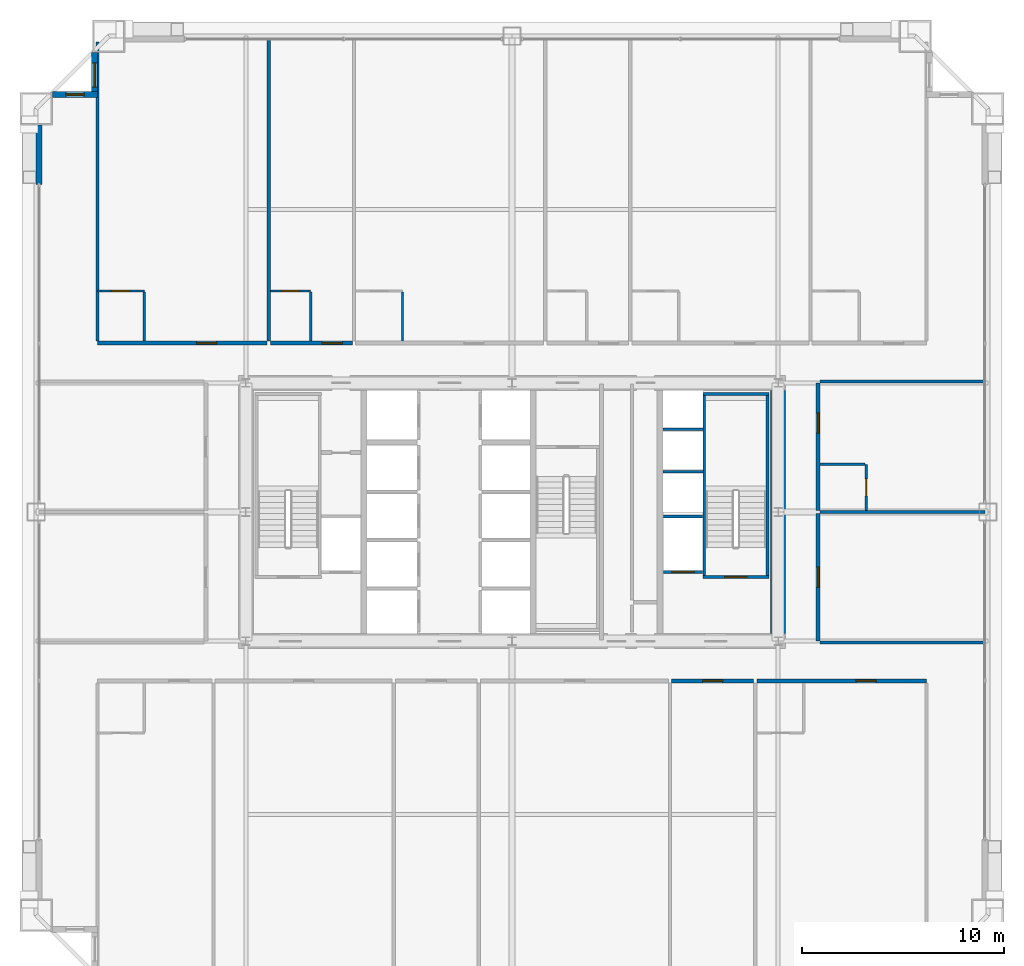
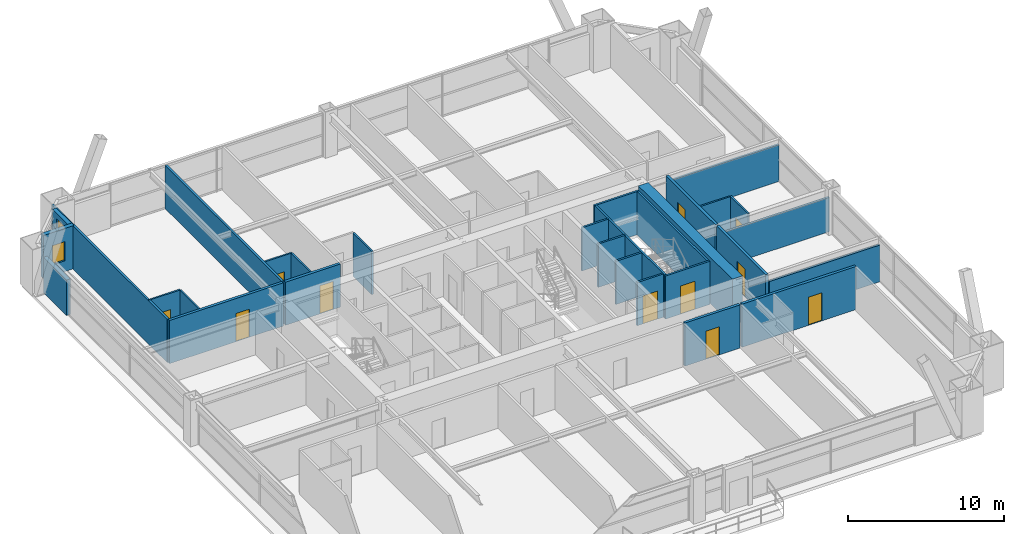
# One storey, part 39 of 41: 30 walls, 11 doors, 2 windows, 13 openings.
"""IFC4 building model written with IfcOpenShell, lengths in metres."""

from ifc_helpers import new_model, si_unit, direction, frame, frame_2d, origin, place, context, subcontext, project, spatial, rectangle, extrude, source, transform, mapped, material, layer, layer_set, type_object, element, fill, save


model = new_model("IFC4")

# Units and contexts
model_context = context("Model", 3, precision=1e-05, world=origin(), true_north=direction((0.0, 1.0)))
body_context = subcontext(model_context, "Body", "Model", "MODEL_VIEW")
ifc_project = project(units=[si_unit("LENGTHUNIT", "METRE"), si_unit("AREAUNIT", "SQUARE_METRE"), si_unit("VOLUMEUNIT", "CUBIC_METRE"), si_unit("PLANEANGLEUNIT", "RADIAN"), si_unit("MASSUNIT", "GRAM", prefix="KILO"), si_unit("THERMODYNAMICTEMPERATUREUNIT", "KELVIN"), si_unit("POWERUNIT", "WATT")], contexts=[model_context])

# Site, building, storey
site_placement = place(None, origin())
site = spatial("IfcSite", under=ifc_project, at=site_placement, CompositionType="ELEMENT")
building_placement = place(site_placement, origin())
building = spatial("IfcBuilding", under=site, at=building_placement, Name="Yuzanri Waterfront Tower", CompositionType="ELEMENT")
storey_placement = place(building_placement, frame((0.0, 0.0, 152.39990234375)))
storey = spatial("IfcBuildingStorey", under=building, at=storey_placement, Name="L40", CompositionType="ELEMENT", Elevation=152.39990234375)

# Wall, opening, door
ifc_material_1 = material(Name="Moisture-Resistant Gypsum Stud Wall", Category="gypsum")
ifc_layer_1 = layer(ifc_material_1, 0.1201171875)
ifc_layer_set_1 = layer_set([ifc_layer_1], Name="Moisture-Resistant Gypsum Stud Wall")
wall_type_1 = type_object("IfcWallType", Name="Bathroom and Kitchen Wet Partition 120", PredefinedType="PARTITIONING", material=ifc_layer_set_1)
wall_1_placement = place(storey_placement, frame((16.43994140625, 36.760009765625, 0.0), z_axis=(0.0, 0.0, 1.0), x_axis=(1.0, 0.0, 0.0)))
wall_1 = element("IfcWall", 1, at=wall_1_placement, inside=storey, type_object=wall_type_1, Name="L40 Partition UW-L40-N1-BN", PredefinedType="PARTITIONING", context=body_context, shape_type="SweptSolid", body=[
    extrude(rectangle(XDim=2.330078125, YDim=0.1201171875, at=frame_2d((1.1650390625, 0.0))), origin(), (0.0, 0.0, 1.0), 3.380126953125),
])
opening_1_placement = place(wall_1_placement, frame((0.739990234375, 0.0, 0.0)))
opening_1 = element("IfcOpeningElement", 2, at=opening_1_placement, cuts=wall_1, Name="Opening ID-0850", PredefinedType="OPENING", context=body_context, shape_type="SweptSolid", body=[
    extrude(rectangle(XDim=0.85009765625, YDim=2.10009765625, at=frame_2d((0.425048828125, 1.050048828125))), frame((0.0, 0.074951171875, 0.0), z_axis=(0.0, -1.0, 0.0), x_axis=(1.0, 0.0, 0.0)), (0.0, 0.0, 1.0), 0.14990234375),
])
ifc_material_2 = material(Name="Moisture-Resistant Lacquered Timber", Category="wood")
door_type_1 = type_object("IfcDoorType", Name="En-Suite Bathroom and Kitchen Swing Door 850x2100", OperationType="NOTDEFINED", PredefinedType="DOOR", material=ifc_material_2)
shared_shape_1 = source(origin(), body_context, "Body", "SweptSolid", [
    extrude(rectangle(XDim=0.85009765625, YDim=2.10009765625, at=frame_2d((0.425048828125, 1.050048828125))), frame((0.0, 0.02490234375, 0.0), z_axis=(0.0, -1.0, 0.0), x_axis=(1.0, 0.0, 0.0)), (0.0, 0.0, 1.0), 0.050048828125),
])
door_1_placement = place(opening_1_placement, origin())
door_1 = element("IfcDoor", 3, at=door_1_placement, inside=storey, type_object=door_type_1, Name="L40 Guest En-Suite Door", OperationType="SINGLE_SWING_LEFT", OverallHeight=2.10009765625, OverallWidth=0.85009765625, PredefinedType="DOOR", context=body_context, shape_type="MappedRepresentation", body=[
    mapped(shared_shape_1, transform((0.0, 0.0, 0.0), scale=1.0)),
])
fill(opening_1, door_1)

wall_2_placement = place(storey_placement, frame((25.01806640625, 36.760009765625, 0.0), z_axis=(0.0, 0.0, 1.0), x_axis=(1.0, 0.0, 0.0)))
wall_2 = element("IfcWall", 4, at=wall_2_placement, inside=storey, type_object=wall_type_1, Name="L40 Partition UW-L40-N2-BN", PredefinedType="PARTITIONING", context=body_context, shape_type="SweptSolid", body=[
    extrude(rectangle(XDim=1.991943359375, YDim=0.1201171875, at=frame_2d((0.99609375, 0.0))), origin(), (0.0, 0.0, 1.0), 3.380126953125),
])
opening_2_placement = place(wall_2_placement, frame((0.571044921875, 0.0, 0.0)))
opening_2 = element("IfcOpeningElement", 5, at=opening_2_placement, cuts=wall_2, Name="Opening ID-0850", PredefinedType="OPENING", context=body_context, shape_type="SweptSolid", body=[
    extrude(rectangle(XDim=0.85009765625, YDim=2.10009765625, at=frame_2d((0.425048828125, 1.050048828125))), frame((0.0, 0.074951171875, 0.0), z_axis=(0.0, -1.0, 0.0), x_axis=(1.0, 0.0, 0.0)), (0.0, 0.0, 1.0), 0.14990234375),
])
door_2_placement = place(opening_2_placement, origin())
door_2 = element("IfcDoor", 6, at=door_2_placement, inside=storey, type_object=door_type_1, Name="L40 Guest En-Suite Door", OperationType="SINGLE_SWING_LEFT", OverallHeight=2.10009765625, OverallWidth=0.85009765625, PredefinedType="DOOR", context=body_context, shape_type="MappedRepresentation", body=[
    mapped(shared_shape_1, transform((0.0, 0.0, 0.0), scale=1.0)),
])
fill(opening_2, door_2)

wall_3_placement = place(storey_placement, frame((54.56005859375, 25.8798828125, 0.0), z_axis=(0.0, 0.0, 1.0), x_axis=(0.0, 1.0, 0.0)))
wall_3 = element("IfcWall", 7, at=wall_3_placement, inside=storey, type_object=wall_type_1, Name="L40 Partition UW-L40-E2-BE2", PredefinedType="PARTITIONING", context=body_context, shape_type="SweptSolid", body=[
    extrude(rectangle(XDim=2.280029296875, YDim=0.1201171875, at=frame_2d((1.14013671875, 0.0))), origin(), (0.0, 0.0, 1.0), 3.380126953125),
])
opening_3_placement = place(wall_3_placement, frame((0.715087890625, 0.0, 0.0)))
opening_3 = element("IfcOpeningElement", 8, at=opening_3_placement, cuts=wall_3, Name="Opening ID-0850", PredefinedType="OPENING", context=body_context, shape_type="SweptSolid", body=[
    extrude(rectangle(XDim=0.85009765625, YDim=2.10009765625, at=frame_2d((0.425048828125, 1.050048828125))), frame((0.0, 0.074951171875, 0.0), z_axis=(0.0, -1.0, 0.0), x_axis=(1.0, 0.0, 0.0)), (0.0, 0.0, 1.0), 0.14990234375),
])
door_3_placement = place(opening_3_placement, origin())
door_3 = element("IfcDoor", 9, at=door_3_placement, inside=storey, type_object=door_type_1, Name="L40 Guest En-Suite Door", OperationType="SINGLE_SWING_RIGHT", OverallHeight=2.10009765625, OverallWidth=0.85009765625, PredefinedType="DOOR", context=body_context, shape_type="MappedRepresentation", body=[
    mapped(shared_shape_1, transform((0.0, 0.0, 0.0), scale=1.0)),
])
fill(opening_3, door_3)

# Wall, opening, window
ifc_material_3 = material(Name="Honed Chongqing Dark Basalt Stone", Category="masonry")
ifc_layer_2 = layer(ifc_material_3, 0.300048828125)
ifc_layer_set_2 = layer_set([ifc_layer_2], Name="Honed Chongqing Dark Basalt Stone")
wall_type_2 = type_object("IfcWallType", Name="Bronze Rainscreen Insulated Spandrel Portal Wall 300", PredefinedType="SOLIDWALL", material=ifc_layer_set_2)
wall_4_placement = place(storey_placement, frame((16.449951171875, 46.5, 0.0), z_axis=(0.0, 0.0, 1.0), x_axis=(-1.0, 0.0, 0.0)))
wall_4 = element("IfcWall", 10, at=wall_4_placement, inside=storey, type_object=wall_type_2, Name="L40 Notched Corner Masonry Wall NW-X", PredefinedType="SOLIDWALL", context=body_context, shape_type="SweptSolid", body=[
    extrude(rectangle(XDim=2.25, YDim=0.300048828125, at=frame_2d((1.125, 0.0))), origin(), (0.0, 0.0, 1.0), 3.380126953125),
])
opening_4_placement = place(wall_4_placement, frame((0.675048828125, 0.0, 0.85009765625)))
opening_4 = element("IfcOpeningElement", 11, at=opening_4_placement, cuts=wall_4, Name="Opening WN-05", PredefinedType="OPENING", context=body_context, shape_type="SweptSolid", body=[
    extrude(rectangle(XDim=0.89990234375, YDim=1.5, at=frame_2d((0.449951171875, 0.75))), frame((0.0, 0.1650390625, 0.0), z_axis=(0.0, -1.0, 0.0), x_axis=(1.0, 0.0, 0.0)), (0.0, 0.0, 1.0), 0.329833984375),
])
ifc_material_4 = material(Name="Double-Silver Low-E Insulated Glass", Category="glass")
window_type_1 = type_object("IfcWindowType", Name="Anodized Bronze Service and Stairwell Smoke-Vent Window 900x1500", PartitioningType="SINGLE_PANEL", PredefinedType="WINDOW", material=ifc_material_4)
shared_shape_2 = source(origin(), body_context, "Body", "SweptSolid", [
    extrude(rectangle(XDim=0.89990234375, YDim=1.5, at=frame_2d((0.449951171875, 0.75))), frame((0.0, 0.030029296875, 0.0), z_axis=(0.0, -1.0, 0.0), x_axis=(1.0, 0.0, 0.0)), (0.0, 0.0, 1.0), 0.06005859375),
])
window_1_placement = place(opening_4_placement, origin())
window_1 = element("IfcWindow", 12, at=window_1_placement, inside=storey, type_object=window_type_1, Name="L40 Notched Corner Window NW-X", OverallHeight=1.5, OverallWidth=0.89990234375, PartitioningType="SINGLE_PANEL", PredefinedType="WINDOW", context=body_context, shape_type="MappedRepresentation", body=[
    mapped(shared_shape_2, transform((0.0, 0.0, 0.0), scale=1.0)),
])
fill(opening_4, window_1)

wall_5_placement = place(storey_placement, frame((16.300048828125, 48.60009765625, 0.0), z_axis=(0.0, 0.0, 1.0), x_axis=(0.0, -1.0, 0.0)))
wall_5 = element("IfcWall", 13, at=wall_5_placement, inside=storey, type_object=wall_type_2, Name="L40 Notched Corner Masonry Wall NW-Y", PredefinedType="SOLIDWALL", context=body_context, shape_type="SweptSolid", body=[
    extrude(rectangle(XDim=2.25, YDim=0.300048828125, at=frame_2d((1.125, 0.0))), origin(), (0.0, 0.0, 1.0), 3.380126953125),
])
opening_5_placement = place(wall_5_placement, frame((0.52490234375, 0.0, 0.85009765625)))
opening_5 = element("IfcOpeningElement", 14, at=opening_5_placement, cuts=wall_5, Name="Opening WN-02", PredefinedType="OPENING", context=body_context, shape_type="SweptSolid", body=[
    extrude(rectangle(XDim=1.199951171875, YDim=2.10009765625, at=frame_2d((0.60009765625, 1.050048828125))), frame((0.0, 0.1650390625, 0.0), z_axis=(0.0, -1.0, 0.0), x_axis=(1.0, 0.0, 0.0)), (0.0, 0.0, 1.0), 0.329833984375),
])
ifc_material_5 = material(Name="Double-Silver Low-E Insulated Glass", Category="glass")
window_type_2 = type_object("IfcWindowType", Name="Anodized Bronze Notched Corner Deep-Set Slot Window 1200x2100", PartitioningType="SINGLE_PANEL", PredefinedType="WINDOW", material=ifc_material_5)
shared_shape_3 = source(origin(), body_context, "Body", "SweptSolid", [
    extrude(rectangle(XDim=1.199951171875, YDim=2.10009765625, at=frame_2d((0.60009765625, 1.050048828125))), frame((0.0, 0.030029296875, 0.0), z_axis=(0.0, -1.0, 0.0), x_axis=(1.0, 0.0, 0.0)), (0.0, 0.0, 1.0), 0.06005859375),
])
window_2_placement = place(opening_5_placement, origin())
window_2 = element("IfcWindow", 15, at=window_2_placement, inside=storey, type_object=window_type_2, Name="L40 Notched Corner Window NW-Y", OverallHeight=2.10009765625, OverallWidth=1.199951171875, PartitioningType="SINGLE_PANEL", PredefinedType="WINDOW", context=body_context, shape_type="MappedRepresentation", body=[
    mapped(shared_shape_3, transform((0.0, 0.0, 0.0), scale=1.0)),
])
fill(opening_5, window_2)

# Wall, opening, door
ifc_material_6 = material(Name="Concrete C40", Category="concrete")
ifc_layer_3 = layer(ifc_material_6, 0.139892578125)
ifc_layer_set_3 = layer_set([ifc_layer_3], Name="Concrete C40")
wall_type_3 = type_object("IfcWallType", Name="Core Stair Liner and Hoistway Shaft Wall 140", PredefinedType="SOLIDWALL", material=ifc_layer_set_3)
wall_6_placement = place(storey_placement, frame((44.52001953125, 22.830078125, 0.0), z_axis=(0.0, 0.0, 1.0), x_axis=(1.0, 0.0, 0.0)))
wall_6 = element("IfcWall", 16, at=wall_6_placement, inside=storey, type_object=wall_type_3, Name="L40 Lift FL-02 Front Shaft Wall", PredefinedType="SOLIDWALL", context=body_context, shape_type="SweptSolid", body=[
    extrude(rectangle(XDim=1.919921875, YDim=0.139892578125, at=frame_2d((0.9599609375, 0.0))), origin(), (0.0, 0.0, 1.0), 3.380126953125),
])
opening_6_placement = place(wall_6_placement, frame((0.409912109375, 0.0, 0.0)))
opening_6 = element("IfcOpeningElement", 17, at=opening_6_placement, cuts=wall_6, Name="Opening LD-FL-02", PredefinedType="OPENING", context=body_context, shape_type="SweptSolid", body=[
    extrude(rectangle(XDim=1.10009765625, YDim=2.199951171875, at=frame_2d((0.550048828125, 1.10009765625))), frame((0.0, 0.0849609375, 0.0), z_axis=(0.0, -1.0, 0.0), x_axis=(1.0, 0.0, 0.0)), (0.0, 0.0, 1.0), 0.169677734375),
])
ifc_material_7 = material(Name="Brushed Bronze and Stainless Steel Cab", Category="steel")
door_type_2 = type_object("IfcDoorType", Name="Center-Parting Bronze Lift Landing Sliding Door 1100x2200", OperationType="NOTDEFINED", PredefinedType="DOOR", material=ifc_material_7)
shared_shape_4 = source(origin(), body_context, "Body", "SweptSolid", [
    extrude(rectangle(XDim=1.10009765625, YDim=2.199951171875, at=frame_2d((0.550048828125, 1.10009765625))), frame((0.0, 0.02490234375, 0.0), z_axis=(0.0, -1.0, 0.0), x_axis=(1.0, 0.0, 0.0)), (0.0, 0.0, 1.0), 0.050048828125),
])
door_4_placement = place(opening_6_placement, origin())
door_4 = element("IfcDoor", 18, at=door_4_placement, inside=storey, type_object=door_type_2, Name="L40 FL-02 Lift Landing Sliding Door", OperationType="SLIDING_TO_RIGHT", OverallHeight=2.199951171875, OverallWidth=1.10009765625, PredefinedType="DOOR", context=body_context, shape_type="MappedRepresentation", body=[
    mapped(shared_shape_4, transform((0.0, 0.0, 0.0), scale=1.0)),
])
fill(opening_6, door_4)

wall_7_placement = place(storey_placement, frame((46.4599609375, 22.570068359375, 0.0), z_axis=(0.0, 0.0, 1.0), x_axis=(1.0, 0.0, 0.0)))
wall_7 = element("IfcWall", 19, at=wall_7_placement, inside=storey, type_object=wall_type_3, Name="L40 Shaft Wall STW-L40-ST-02-S", PredefinedType="SOLIDWALL", context=body_context, shape_type="SweptSolid", body=[
    extrude(rectangle(XDim=3.280029296875, YDim=0.139892578125, at=frame_2d((1.64013671875, 0.0))), origin(), (0.0, 0.0, 1.0), 3.380126953125),
])
opening_7_placement = place(wall_7_placement, frame((1.090087890625, 0.0, 0.0)))
opening_7 = element("IfcOpeningElement", 20, at=opening_7_placement, cuts=wall_7, Name="Opening FD-1100", PredefinedType="OPENING", context=body_context, shape_type="SweptSolid", body=[
    extrude(rectangle(XDim=1.10009765625, YDim=2.199951171875, at=frame_2d((0.550048828125, 1.10009765625))), frame((0.0, 0.0849609375, 0.0), z_axis=(0.0, -1.0, 0.0), x_axis=(1.0, 0.0, 0.0)), (0.0, 0.0, 1.0), 0.169677734375),
])
ifc_material_8 = material(Name="Painted Galvanized Fire Steel", Category="steel")
door_type_3 = type_object("IfcDoorType", Name="Smoke-Proof Stair and Lobby Fire Door 1100x2200", OperationType="NOTDEFINED", PredefinedType="DOOR", material=ifc_material_8)
shared_shape_5 = source(origin(), body_context, "Body", "SweptSolid", [
    extrude(rectangle(XDim=1.10009765625, YDim=2.199951171875, at=frame_2d((0.550048828125, 1.10009765625))), frame((0.0, 0.02490234375, 0.0), z_axis=(0.0, -1.0, 0.0), x_axis=(1.0, 0.0, 0.0)), (0.0, 0.0, 1.0), 0.050048828125),
])
door_5_placement = place(opening_7_placement, origin())
door_5 = element("IfcDoor", 21, at=door_5_placement, inside=storey, type_object=door_type_3, Name="L40 Stair ST-02 Fire Door", OperationType="SINGLE_SWING_RIGHT", OverallHeight=2.199951171875, OverallWidth=1.10009765625, PredefinedType="DOOR", context=body_context, shape_type="MappedRepresentation", body=[
    mapped(shared_shape_5, transform((0.0, 0.0, 0.0), scale=1.0)),
])
fill(opening_7, door_5)

ifc_material_9 = material(Name="Autoclaved Aerated Concrete Blockwork", Category="masonry")
ifc_layer_4 = layer(ifc_material_9, 0.199951171875)
ifc_layer_set_4 = layer_set([ifc_layer_4], Name="Autoclaved Aerated Concrete Blockwork")
wall_type_4 = type_object("IfcWallType", Name="Corridor and Unit Party Fire Wall 200", PredefinedType="PARTITIONING", material=ifc_layer_set_4)
wall_8_placement = place(storey_placement, frame((44.919921875, 17.419921875, 0.0), z_axis=(0.0, 0.0, 1.0), x_axis=(1.0, 0.0, 0.0)))
wall_8 = element("IfcWall", 22, at=wall_8_placement, inside=storey, type_object=wall_type_4, Name="L40 Partition UW-L40-S5-CN", PredefinedType="PARTITIONING", context=body_context, shape_type="SweptSolid", body=[
    extrude(rectangle(XDim=4.06201171875, YDim=0.199951171875, at=frame_2d((2.031005859375, 0.0))), origin(), (0.0, 0.0, 1.0), 3.380126953125),
])
opening_8_placement = place(wall_8_placement, frame((1.531005859375, 0.0, 0.0)))
opening_8 = element("IfcOpeningElement", 23, at=opening_8_placement, cuts=wall_8, Name="Opening FD-1000", PredefinedType="OPENING", context=body_context, shape_type="SweptSolid", body=[
    extrude(rectangle(XDim=1.0, YDim=2.199951171875, at=frame_2d((0.5, 1.10009765625))), frame((0.0, 0.11474609375, 0.0), z_axis=(0.0, -1.0, 0.0), x_axis=(1.0, 0.0, 0.0)), (0.0, 0.0, 1.0), 0.229736328125),
])
ifc_material_10 = material(Name="Engineered Oak Fire-Rated Timber", Category="wood")
door_type_4 = type_object("IfcDoorType", Name="Guestroom and Apartment Entrance Fire Door 1000x2200", OperationType="NOTDEFINED", PredefinedType="DOOR", material=ifc_material_10)
shared_shape_6 = source(origin(), body_context, "Body", "SweptSolid", [
    extrude(rectangle(XDim=1.0, YDim=2.199951171875, at=frame_2d((0.5, 1.10009765625))), frame((0.0, 0.02490234375, 0.0), z_axis=(0.0, -1.0, 0.0), x_axis=(1.0, 0.0, 0.0)), (0.0, 0.0, 1.0), 0.050048828125),
])
door_6_placement = place(opening_8_placement, origin())
door_6 = element("IfcDoor", 24, at=door_6_placement, inside=storey, type_object=door_type_4, Name="L40 Private Office 4 Entrance Door", OperationType="SINGLE_SWING_LEFT", OverallHeight=2.199951171875, OverallWidth=1.0, PredefinedType="DOOR", context=body_context, shape_type="MappedRepresentation", body=[
    mapped(shared_shape_6, transform((0.0, 0.0, 0.0), scale=1.0)),
])
fill(opening_8, door_6)

wall_9_placement = place(storey_placement, frame((49.14208984375, 17.419921875, 0.0), z_axis=(0.0, 0.0, 1.0), x_axis=(1.0, 0.0, 0.0)))
wall_9 = element("IfcWall", 25, at=wall_9_placement, inside=storey, type_object=wall_type_4, Name="L40 Partition UW-L40-S6-CN", PredefinedType="PARTITIONING", context=body_context, shape_type="SweptSolid", body=[
    extrude(rectangle(XDim=8.41796875, YDim=0.199951171875, at=frame_2d((4.208984375, 0.0))), origin(), (0.0, 0.0, 1.0), 3.380126953125),
])
opening_9_placement = place(wall_9_placement, frame((4.9140625, 0.0, 0.0)))
opening_9 = element("IfcOpeningElement", 26, at=opening_9_placement, cuts=wall_9, Name="Opening FD-1000", PredefinedType="OPENING", context=body_context, shape_type="SweptSolid", body=[
    extrude(rectangle(XDim=1.0, YDim=2.199951171875, at=frame_2d((0.5, 1.10009765625))), frame((0.0, 0.11474609375, 0.0), z_axis=(0.0, -1.0, 0.0), x_axis=(1.0, 0.0, 0.0)), (0.0, 0.0, 1.0), 0.229736328125),
])
door_7_placement = place(opening_9_placement, origin())
door_7 = element("IfcDoor", 27, at=door_7_placement, inside=storey, type_object=door_type_4, Name="L40 Ambassador Suite Entrance Door", OperationType="SINGLE_SWING_RIGHT", OverallHeight=2.199951171875, OverallWidth=1.0, PredefinedType="DOOR", context=body_context, shape_type="MappedRepresentation", body=[
    mapped(shared_shape_6, transform((0.0, 0.0, 0.0), scale=1.0)),
])
fill(opening_9, door_7)

wall_10_placement = place(storey_placement, frame((16.43994140625, 34.179931640625, 0.0), z_axis=(0.0, 0.0, 1.0), x_axis=(1.0, 0.0, 0.0)))
wall_10 = element("IfcWall", 28, at=wall_10_placement, inside=storey, type_object=wall_type_4, Name="L40 Partition UW-L40-N1-CS", PredefinedType="PARTITIONING", context=body_context, shape_type="SweptSolid", body=[
    extrude(rectangle(XDim=8.41796875, YDim=0.199951171875, at=frame_2d((4.208984375, 0.0))), origin(), (0.0, 0.0, 1.0), 3.380126953125),
])
opening_10_placement = place(wall_10_placement, frame((4.9140625, 0.0, 0.0)))
opening_10 = element("IfcOpeningElement", 29, at=opening_10_placement, cuts=wall_10, Name="Opening FD-1000", PredefinedType="OPENING", context=body_context, shape_type="SweptSolid", body=[
    extrude(rectangle(XDim=1.0, YDim=2.199951171875, at=frame_2d((0.5, 1.10009765625))), frame((0.0, 0.11474609375, 0.0), z_axis=(0.0, -1.0, 0.0), x_axis=(1.0, 0.0, 0.0)), (0.0, 0.0, 1.0), 0.229736328125),
])
door_8_placement = place(opening_10_placement, origin())
door_8 = element("IfcDoor", 30, at=door_8_placement, inside=storey, type_object=door_type_4, Name="L40 Deluxe Twin Junior Suite Entrance Door", OperationType="SINGLE_SWING_RIGHT", OverallHeight=2.199951171875, OverallWidth=1.0, PredefinedType="DOOR", context=body_context, shape_type="MappedRepresentation", body=[
    mapped(shared_shape_6, transform((0.0, 0.0, 0.0), scale=1.0)),
])
fill(opening_10, door_8)

wall_11_placement = place(storey_placement, frame((25.01806640625, 34.179931640625, 0.0), z_axis=(0.0, 0.0, 1.0), x_axis=(1.0, 0.0, 0.0)))
wall_11 = element("IfcWall", 31, at=wall_11_placement, inside=storey, type_object=wall_type_4, Name="L40 Partition UW-L40-N2-CS", PredefinedType="PARTITIONING", context=body_context, shape_type="SweptSolid", body=[
    extrude(rectangle(XDim=4.06201171875, YDim=0.199951171875, at=frame_2d((2.031005859375, 0.0))), origin(), (0.0, 0.0, 1.0), 3.380126953125),
])
opening_11_placement = place(wall_11_placement, frame((2.56689453125, 0.0, 0.0)))
opening_11 = element("IfcOpeningElement", 32, at=opening_11_placement, cuts=wall_11, Name="Opening FD-1000", PredefinedType="OPENING", context=body_context, shape_type="SweptSolid", body=[
    extrude(rectangle(XDim=1.0, YDim=2.199951171875, at=frame_2d((0.5, 1.10009765625))), frame((0.0, 0.11474609375, 0.0), z_axis=(0.0, -1.0, 0.0), x_axis=(1.0, 0.0, 0.0)), (0.0, 0.0, 1.0), 0.229736328125),
])
door_9_placement = place(opening_11_placement, origin())
door_9 = element("IfcDoor", 33, at=door_9_placement, inside=storey, type_object=door_type_4, Name="L40 Deluxe Twin Guest Room Entrance Door", OperationType="SINGLE_SWING_RIGHT", OverallHeight=2.199951171875, OverallWidth=1.0, PredefinedType="DOOR", context=body_context, shape_type="MappedRepresentation", body=[
    mapped(shared_shape_6, transform((0.0, 0.0, 0.0), scale=1.0)),
])
fill(opening_11, door_9)

wall_12_placement = place(storey_placement, frame((52.179931640625, 19.409912109375, 0.0), z_axis=(0.0, 0.0, 1.0), x_axis=(0.0, 1.0, 0.0)))
wall_12 = element("IfcWall", 34, at=wall_12_placement, inside=storey, type_object=wall_type_4, Name="L40 Partition UW-L40-E1-CW", PredefinedType="PARTITIONING", context=body_context, shape_type="SweptSolid", body=[
    extrude(rectangle(XDim=6.31005859375, YDim=0.199951171875, at=frame_2d((3.155029296875, 0.0))), origin(), (0.0, 0.0, 1.0), 3.380126953125),
])
opening_12_placement = place(wall_12_placement, frame((2.655029296875, 0.0, 0.0)))
opening_12 = element("IfcOpeningElement", 35, at=opening_12_placement, cuts=wall_12, Name="Opening FD-1000", PredefinedType="OPENING", context=body_context, shape_type="SweptSolid", body=[
    extrude(rectangle(XDim=1.0, YDim=2.199951171875, at=frame_2d((0.5, 1.10009765625))), frame((0.0, 0.11474609375, 0.0), z_axis=(0.0, -1.0, 0.0), x_axis=(1.0, 0.0, 0.0)), (0.0, 0.0, 1.0), 0.229736328125),
])
door_10_placement = place(opening_12_placement, origin())
door_10 = element("IfcDoor", 36, at=door_10_placement, inside=storey, type_object=door_type_4, Name="L40 East Tea Restaurant Entrance Door", OperationType="SINGLE_SWING_RIGHT", OverallHeight=2.199951171875, OverallWidth=1.0, PredefinedType="DOOR", context=body_context, shape_type="MappedRepresentation", body=[
    mapped(shared_shape_6, transform((0.0, 0.0, 0.0), scale=1.0)),
])
fill(opening_12, door_10)

wall_13_placement = place(storey_placement, frame((52.179931640625, 25.8798828125, 0.0), z_axis=(0.0, 0.0, 1.0), x_axis=(0.0, 1.0, 0.0)))
wall_13 = element("IfcWall", 37, at=wall_13_placement, inside=storey, type_object=wall_type_4, Name="L40 Partition UW-L40-E2-CW", PredefinedType="PARTITIONING", context=body_context, shape_type="SweptSolid", body=[
    extrude(rectangle(XDim=6.31005859375, YDim=0.199951171875, at=frame_2d((3.155029296875, 0.0))), origin(), (0.0, 0.0, 1.0), 3.380126953125),
])
opening_13_placement = place(wall_13_placement, frame((3.8349609375, 0.0, 0.0)))
opening_13 = element("IfcOpeningElement", 38, at=opening_13_placement, cuts=wall_13, Name="Opening FD-1000", PredefinedType="OPENING", context=body_context, shape_type="SweptSolid", body=[
    extrude(rectangle(XDim=1.0, YDim=2.199951171875, at=frame_2d((0.5, 1.10009765625))), frame((0.0, 0.11474609375, 0.0), z_axis=(0.0, -1.0, 0.0), x_axis=(1.0, 0.0, 0.0)), (0.0, 0.0, 1.0), 0.229736328125),
])
door_11_placement = place(opening_13_placement, origin())
door_11 = element("IfcDoor", 39, at=door_11_placement, inside=storey, type_object=door_type_4, Name="L40 East Guest Room Entrance Door", OperationType="SINGLE_SWING_LEFT", OverallHeight=2.199951171875, OverallWidth=1.0, PredefinedType="DOOR", context=body_context, shape_type="MappedRepresentation", body=[
    mapped(shared_shape_6, transform((0.0, 0.0, 0.0), scale=1.0)),
])
fill(opening_13, door_11)

# Walls
ifc_material_11 = material(Name="Concrete C55", Category="concrete")
ifc_layer_5 = layer(ifc_material_11, 0.75)
ifc_layer_set_5 = layer_set([ifc_layer_5], Name="Concrete C55")
wall_type_5 = type_object("IfcWallType", Name="Concrete C55 Low-Mid Zone Core Shear Wall 750", PredefinedType="SHEAR", material=ifc_layer_set_5)
shared_shape_7 = source(origin(), body_context, "Body", "SweptSolid", [
    extrude(rectangle(XDim=12.050048828125, YDim=0.75, at=frame_2d((6.02490234375, 0.0))), origin(), (0.0, 0.0, 1.0), 3.60009765625),
])
wall_14_placement = place(storey_placement, frame((50.199951171875, 19.77490234375, 0.0), z_axis=(0.0, 0.0, 1.0), x_axis=(0.0, 1.0, 0.0)))
element("IfcWall", 40, at=wall_14_placement, inside=storey, type_object=wall_type_5, Name="L40 Core East Shear Wall", PredefinedType="SHEAR", context=body_context, shape_type="MappedRepresentation", body=[
    mapped(shared_shape_7, transform((0.0, 0.0, 0.0), scale=1.0)),
])
shared_shape_8 = source(origin(), body_context, "Body", "SweptSolid", [
    extrude(rectangle(XDim=2.949951171875, YDim=0.300048828125, at=frame_2d((1.47509765625, 0.0))), origin(), (0.0, 0.0, 1.0), 2.775146484375),
])
wall_15_placement = place(storey_placement, frame((13.550048828125, 42.050048828125, 0.0), z_axis=(0.0, 0.0, 1.0), x_axis=(0.0, 1.0, 0.0)))
element("IfcWall", 41, at=wall_15_placement, inside=storey, type_object=wall_type_2, Name="L40 W Right Braced Masonry Shoulder", PredefinedType="SOLIDWALL", context=body_context, shape_type="MappedRepresentation", body=[
    mapped(shared_shape_8, transform((0.0, 0.0, 0.0), scale=1.0)),
])
shared_shape_9 = source(origin(), body_context, "Body", "SweptSolid", [
    extrude(rectangle(XDim=1.919921875, YDim=0.139892578125, at=frame_2d((0.9599609375, 0.0))), origin(), (0.0, 0.0, 1.0), 3.380126953125),
])
wall_16_placement = place(storey_placement, frame((44.52001953125, 25.570068359375, 0.0), z_axis=(0.0, 0.0, 1.0), x_axis=(1.0, 0.0, 0.0)))
element("IfcWall", 42, at=wall_16_placement, inside=storey, type_object=wall_type_3, Name="L40 Lift FL-02 Back Shaft Wall", PredefinedType="SOLIDWALL", context=body_context, shape_type="MappedRepresentation", body=[
    mapped(shared_shape_9, transform((0.0, 0.0, 0.0), scale=1.0)),
])
shared_shape_10 = source(origin(), body_context, "Body", "SweptSolid", [
    extrude(rectangle(XDim=2.0, YDim=0.139892578125, at=frame_2d((1.0, 0.0))), origin(), (0.0, 0.0, 1.0), 3.380126953125),
])
for number, where, z_axis, x_axis, name in (
    (43, (44.5, 27.800048828125, 0.0), (0.0, 0.0, 1.0), (1.0, 0.0, 0.0), "L40 Lift PL-09 Divider Wall"),
    (44, (44.5, 29.89990234375, 0.0), (0.0, 0.0, 1.0), (1.0, 0.0, 0.0), "L40 Lift PL-10 Divider Wall"),
):
    element("IfcWall", number, at=place(storey_placement, frame(where, z_axis=z_axis, x_axis=x_axis)), inside=storey, type_object=wall_type_3, Name=name, PredefinedType="SOLIDWALL", context=body_context, shape_type="MappedRepresentation", body=[
        mapped(shared_shape_10, transform((0.0, 0.0, 0.0), scale=1.0)),
    ])
shared_shape_11 = source(origin(), body_context, "Body", "SweptSolid", [
    extrude(rectangle(XDim=3.280029296875, YDim=0.139892578125, at=frame_2d((1.64013671875, 0.0))), origin(), (0.0, 0.0, 1.0), 3.380126953125),
])
wall_17_placement = place(storey_placement, frame((46.4599609375, 31.64990234375, 0.0), z_axis=(0.0, 0.0, 1.0), x_axis=(1.0, 0.0, 0.0)))
element("IfcWall", 45, at=wall_17_placement, inside=storey, type_object=wall_type_3, Name="L40 Stair ST-02 North Shaft Wall", PredefinedType="SOLIDWALL", context=body_context, shape_type="MappedRepresentation", body=[
    mapped(shared_shape_11, transform((0.0, 0.0, 0.0), scale=1.0)),
])
shared_shape_12 = source(origin(), body_context, "Body", "SweptSolid", [
    extrude(rectangle(XDim=8.940185546875, YDim=0.139892578125, at=frame_2d((4.47021484375, 0.0))), origin(), (0.0, 0.0, 1.0), 3.380126953125),
])
for number, where, z_axis, x_axis, name in (
    (46, (46.530029296875, 22.639892578125, 0.0), (0.0, 0.0, 1.0), (0.0, 1.0, 0.0), "L40 Stair ST-02 West Shaft Wall"),
    (47, (49.669921875, 22.639892578125, 0.0), (0.0, 0.0, 1.0), (0.0, 1.0, 0.0), "L40 Stair ST-02 East Shaft Wall"),
):
    element("IfcWall", number, at=place(storey_placement, frame(where, z_axis=z_axis, x_axis=x_axis)), inside=storey, type_object=wall_type_3, Name=name, PredefinedType="SOLIDWALL", context=body_context, shape_type="MappedRepresentation", body=[
        mapped(shared_shape_12, transform((0.0, 0.0, 0.0), scale=1.0)),
    ])
shared_shape_13 = source(origin(), body_context, "Body", "SweptSolid", [
    extrude(rectangle(XDim=2.419921875, YDim=0.1201171875, at=frame_2d((1.2099609375, 0.0))), origin(), (0.0, 0.0, 1.0), 3.380126953125),
])
for number, where, z_axis, x_axis, name in (
    (48, (18.77001953125, 34.280029296875, 0.0), (0.0, 0.0, 1.0), (0.0, 1.0, 0.0), "L40-N1 En-Suite Side Wall"),
    (49, (27.010009765625, 34.280029296875, 0.0), (0.0, 0.0, 1.0), (0.0, 1.0, 0.0), "L40-N2 En-Suite Side Wall"),
    (50, (31.570068359375, 34.280029296875, 0.0), (0.0, 0.0, 1.0), (0.0, 1.0, 0.0), "L40-N3 En-Suite Side Wall"),
):
    element("IfcWall", number, at=place(storey_placement, frame(where, z_axis=z_axis, x_axis=x_axis)), inside=storey, type_object=wall_type_1, Name=name, PredefinedType="PARTITIONING", context=body_context, shape_type="MappedRepresentation", body=[
        mapped(shared_shape_13, transform((0.0, 0.0, 0.0), scale=1.0)),
    ])
shared_shape_14 = source(origin(), body_context, "Body", "SweptSolid", [
    extrude(rectangle(XDim=2.219970703125, YDim=0.1201171875, at=frame_2d((1.10986328125, 0.0))), origin(), (0.0, 0.0, 1.0), 3.380126953125),
])
wall_18_placement = place(storey_placement, frame((52.280029296875, 28.159912109375, 0.0), z_axis=(0.0, 0.0, 1.0), x_axis=(1.0, 0.0, 0.0)))
element("IfcWall", 51, at=wall_18_placement, inside=storey, type_object=wall_type_1, Name="L40-E2 En-Suite Top Wall", PredefinedType="PARTITIONING", context=body_context, shape_type="MappedRepresentation", body=[
    mapped(shared_shape_14, transform((0.0, 0.0, 0.0), scale=1.0)),
])
ifc_material_12 = material(Name="Gypsum Fireboard Acoustic Stud Wall", Category="gypsum")
ifc_layer_6 = layer(ifc_material_12, 0.159912109375)
ifc_layer_set_6 = layer_set([ifc_layer_6], Name="Gypsum Fireboard Acoustic Stud Wall")
wall_type_6 = type_object("IfcWallType", Name="Acoustic Suite Demising Partition 160", PredefinedType="PARTITIONING", material=ifc_layer_set_6)
shared_shape_15 = source(origin(), body_context, "Body", "SweptSolid", [
    extrude(rectangle(XDim=14.969970703125, YDim=0.159912109375, at=frame_2d((7.48486328125, 0.0))), origin(), (0.0, 0.0, 1.0), 3.380126953125),
])
wall_19_placement = place(storey_placement, frame((24.93798828125, 34.280029296875, 0.0), z_axis=(0.0, 0.0, 1.0), x_axis=(0.0, 1.0, 0.0)))
element("IfcWall", 52, at=wall_19_placement, inside=storey, type_object=wall_type_6, Name="L40-N1 Party Wall", PredefinedType="PARTITIONING", context=body_context, shape_type="MappedRepresentation", body=[
    mapped(shared_shape_15, transform((0.0, 0.0, 0.0), scale=1.0)),
])
shared_shape_16 = source(origin(), body_context, "Body", "SweptSolid", [
    extrude(rectangle(XDim=14.820068359375, YDim=0.159912109375, at=frame_2d((7.41015625, 0.0))), origin(), (0.0, 0.0, 1.0), 3.380126953125),
])
wall_20_placement = place(storey_placement, frame((16.449951171875, 34.280029296875, 0.0), z_axis=(0.0, 0.0, 1.0), x_axis=(0.0, 1.0, 0.0)))
element("IfcWall", 53, at=wall_20_placement, inside=storey, type_object=wall_type_6, Name="L40 North Band West End Wall", PredefinedType="PARTITIONING", context=body_context, shape_type="MappedRepresentation", body=[
    mapped(shared_shape_16, transform((0.0, 0.0, 0.0), scale=1.0)),
])
shared_shape_17 = source(origin(), body_context, "Body", "SweptSolid", [
    extrude(rectangle(XDim=8.169921875, YDim=0.159912109375, at=frame_2d((4.0849609375, 0.0))), origin(), (0.0, 0.0, 1.0), 2.675048828125),
])
wall_21_placement = place(storey_placement, frame((52.280029296875, 25.800048828125, 0.0), z_axis=(0.0, 0.0, 1.0), x_axis=(1.0, 0.0, 0.0)))
element("IfcWall", 54, at=wall_21_placement, inside=storey, type_object=wall_type_6, Name="L40-E1 Wing Party Wall", PredefinedType="PARTITIONING", context=body_context, shape_type="MappedRepresentation", body=[
    mapped(shared_shape_17, transform((0.0, 0.0, 0.0), scale=1.0)),
])
shared_shape_18 = source(origin(), body_context, "Body", "SweptSolid", [
    extrude(rectangle(XDim=8.169921875, YDim=0.159912109375, at=frame_2d((4.0849609375, 0.0))), origin(), (0.0, 0.0, 1.0), 2.875),
])
for number, where, z_axis, x_axis, name in (
    (55, (52.280029296875, 19.330078125, 0.0), (0.0, 0.0, 1.0), (1.0, 0.0, 0.0), "L40-E1 Wing South End Wall"),
    (56, (52.280029296875, 32.27001953125, 0.0), (0.0, 0.0, 1.0), (1.0, 0.0, 0.0), "L40-E2 Wing North End Wall"),
):
    element("IfcWall", number, at=place(storey_placement, frame(where, z_axis=z_axis, x_axis=x_axis)), inside=storey, type_object=wall_type_6, Name=name, PredefinedType="PARTITIONING", context=body_context, shape_type="MappedRepresentation", body=[
        mapped(shared_shape_18, transform((0.0, 0.0, 0.0), scale=1.0)),
    ])

save(model, "model.ifc")
